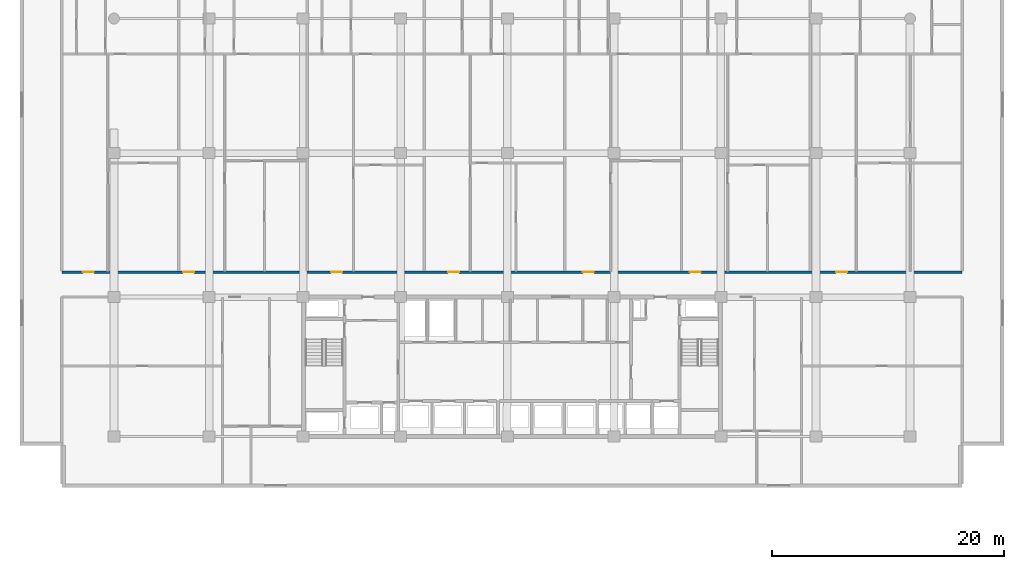
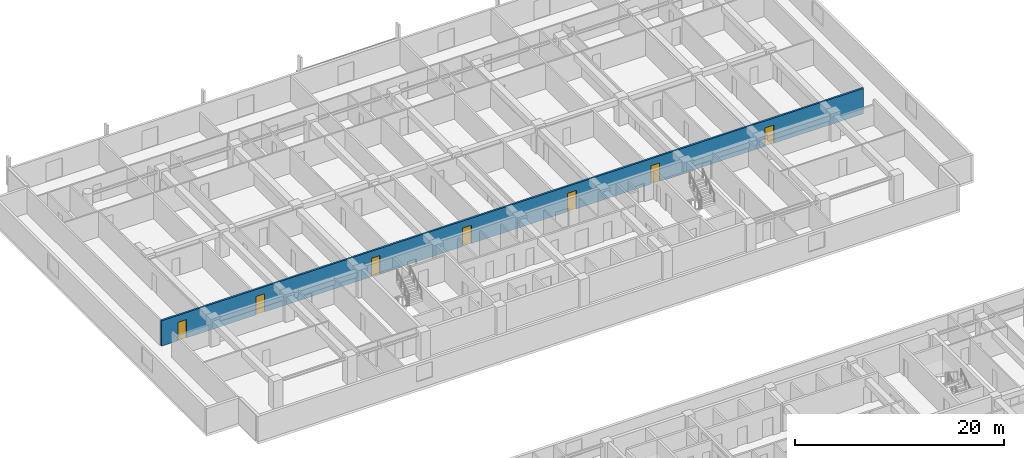
# One storey, part 13 of 23: 7 doors, 1 wall, 7 openings.
"""IFC4 building model written with IfcOpenShell, lengths in metres."""

from ifc_helpers import new_model, si_unit, direction, frame, frame_2d, origin, place, context, subcontext, project, spatial, rectangle, extrude, material, layer, layer_set, type_object, element, fill, save


model = new_model("IFC4")

# Units and contexts
model_context = context("Model", 3, precision=1e-05, world=origin(), true_north=direction((0.0, 1.0)))
body_context = subcontext(model_context, "Body", "Model", "MODEL_VIEW")
ifc_project = project(units=[si_unit("LENGTHUNIT", "METRE"), si_unit("AREAUNIT", "SQUARE_METRE"), si_unit("VOLUMEUNIT", "CUBIC_METRE"), si_unit("PLANEANGLEUNIT", "RADIAN"), si_unit("MASSUNIT", "GRAM", prefix="KILO")], contexts=[model_context])

# Site, building, storey
site_placement = place(None, origin())
site = spatial("IfcSite", under=ifc_project, at=site_placement, CompositionType="ELEMENT")
building_placement = place(site_placement, origin())
building = spatial("IfcBuilding", under=site, at=building_placement, Name="Korimba Cascade Residences", CompositionType="ELEMENT")
storey_placement = place(building_placement, frame((0.0, 0.0, 30.5)))
storey = spatial("IfcBuildingStorey", under=building, at=storey_placement, Name="L07", CompositionType="ELEMENT", Elevation=30.5)

# Wall, openings, doors
ifc_material_1 = material(Name="Precast concrete C40/50", Category="concrete")
ifc_layer = layer(ifc_material_1, 0.199951171875)
ifc_layer_set = layer_set([ifc_layer], Name="Precast concrete C40/50")
wall_type = type_object("IfcWallType", Name="WAL-IT-200", PredefinedType="PARTITIONING", material=ifc_layer_set)
wall_placement = place(storey_placement, frame((55.300048828125, 69.35009765625, 0.0), z_axis=(0.0, 0.0, 1.0), x_axis=(1.0, 0.0, 0.0)))
wall = element("IfcWall", 1, at=wall_placement, inside=storey, type_object=wall_type, Name="L07 Partition Wall WAL-L07-T1-CORN", PredefinedType="PARTITIONING", context=body_context, shape_type="SweptSolid", body=[
    extrude(rectangle(XDim=77.599853515625, YDim=0.199951171875, at=frame_2d((38.7998046875, 0.0))), origin(), (0.0, 0.0, 1.0), 2.969970703125),
])
opening_1_placement = place(wall_placement, frame((1.81005859375, 0.0, 0.0)))
opening_1 = element("IfcOpeningElement", 2, at=opening_1_placement, cuts=wall, Name="Opening D-UN1", PredefinedType="OPENING", context=body_context, shape_type="SweptSolid", body=[
    extrude(rectangle(XDim=0.949951171875, YDim=2.14990234375, at=frame_2d((0.47509765625, 1.074951171875))), frame((0.0, 0.10986328125, 0.0), z_axis=(0.0, -1.0, 0.0), x_axis=(1.0, 0.0, 0.0)), (0.0, 0.0, 1.0), 0.219970703125),
])
opening_2_placement = place(wall_placement, frame((10.447998046875, 0.0, 0.0)))
opening_2 = element("IfcOpeningElement", 3, at=opening_2_placement, cuts=wall, Name="Opening D-UN1", PredefinedType="OPENING", context=body_context, shape_type="SweptSolid", body=[
    extrude(rectangle(XDim=0.949951171875, YDim=2.14990234375, at=frame_2d((0.47509765625, 1.074951171875))), frame((0.0, 0.10986328125, 0.0), z_axis=(0.0, -1.0, 0.0), x_axis=(1.0, 0.0, 0.0)), (0.0, 0.0, 1.0), 0.219970703125),
])
opening_3_placement = place(wall_placement, frame((23.20849609375, 0.0, 0.0)))
opening_3 = element("IfcOpeningElement", 4, at=opening_3_placement, cuts=wall, Name="Opening D-UN1", PredefinedType="OPENING", context=body_context, shape_type="SweptSolid", body=[
    extrude(rectangle(XDim=0.949951171875, YDim=2.14990234375, at=frame_2d((0.47509765625, 1.074951171875))), frame((0.0, 0.10986328125, 0.0), z_axis=(0.0, -1.0, 0.0), x_axis=(1.0, 0.0, 0.0)), (0.0, 0.0, 1.0), 0.219970703125),
])
opening_4_placement = place(wall_placement, frame((33.28662109375, 0.0, 0.0)))
opening_4 = element("IfcOpeningElement", 5, at=opening_4_placement, cuts=wall, Name="Opening D-UN1", PredefinedType="OPENING", context=body_context, shape_type="SweptSolid", body=[
    extrude(rectangle(XDim=0.949951171875, YDim=2.14990234375, at=frame_2d((0.47509765625, 1.074951171875))), frame((0.0, 0.10986328125, 0.0), z_axis=(0.0, -1.0, 0.0), x_axis=(1.0, 0.0, 0.0)), (0.0, 0.0, 1.0), 0.219970703125),
])
opening_5_placement = place(wall_placement, frame((44.905029296875, 0.0, 0.0)))
opening_5 = element("IfcOpeningElement", 6, at=opening_5_placement, cuts=wall, Name="Opening D-UN1", PredefinedType="OPENING", context=body_context, shape_type="SweptSolid", body=[
    extrude(rectangle(XDim=0.949951171875, YDim=2.14990234375, at=frame_2d((0.47509765625, 1.074951171875))), frame((0.0, 0.10986328125, 0.0), z_axis=(0.0, -1.0, 0.0), x_axis=(1.0, 0.0, 0.0)), (0.0, 0.0, 1.0), 0.219970703125),
])
opening_6_placement = place(wall_placement, frame((54.118896484375, 0.0, 0.0)))
opening_6 = element("IfcOpeningElement", 7, at=opening_6_placement, cuts=wall, Name="Opening D-UN1", PredefinedType="OPENING", context=body_context, shape_type="SweptSolid", body=[
    extrude(rectangle(XDim=0.949951171875, YDim=2.14990234375, at=frame_2d((0.47509765625, 1.074951171875))), frame((0.0, 0.10986328125, 0.0), z_axis=(0.0, -1.0, 0.0), x_axis=(1.0, 0.0, 0.0)), (0.0, 0.0, 1.0), 0.219970703125),
])
opening_7_placement = place(wall_placement, frame((66.740478515625, 0.0, 0.0)))
opening_7 = element("IfcOpeningElement", 8, at=opening_7_placement, cuts=wall, Name="Opening D-UN1", PredefinedType="OPENING", context=body_context, shape_type="SweptSolid", body=[
    extrude(rectangle(XDim=0.949951171875, YDim=2.14990234375, at=frame_2d((0.47509765625, 1.074951171875))), frame((0.0, 0.10986328125, 0.0), z_axis=(0.0, -1.0, 0.0), x_axis=(1.0, 0.0, 0.0)), (0.0, 0.0, 1.0), 0.219970703125),
])
ifc_material_2 = material(Name="Fire-Rated Hardwood Apartment Entrance Door", Category="wood")
door_type = type_object("IfcDoorType", Name="DR-FD60-950", OperationType="NOTDEFINED", PredefinedType="DOOR", material=ifc_material_2)
door_1_placement = place(opening_1_placement, origin())
door_1 = element("IfcDoor", 9, at=door_1_placement, inside=storey, type_object=door_type, Name="Unit L07-T1-U01 Entrance Door", OperationType="SINGLE_SWING_LEFT", OverallHeight=2.14990234375, OverallWidth=0.949951171875, PredefinedType="DOOR", context=body_context, shape_type="SweptSolid", body=[
    extrude(rectangle(XDim=0.949951171875, YDim=2.14990234375, at=frame_2d((0.47509765625, 1.074951171875))), frame((0.0, 0.02490234375, 0.0), z_axis=(0.0, -1.0, 0.0), x_axis=(1.0, 0.0, 0.0)), (0.0, 0.0, 1.0), 0.050048828125),
])
fill(opening_1, door_1)
door_2_placement = place(opening_2_placement, origin())
door_2 = element("IfcDoor", 10, at=door_2_placement, inside=storey, type_object=door_type, Name="Unit L07-T1-U02 Entrance Door", OperationType="SINGLE_SWING_RIGHT", OverallHeight=2.14990234375, OverallWidth=0.949951171875, PredefinedType="DOOR", context=body_context, shape_type="SweptSolid", body=[
    extrude(rectangle(XDim=0.949951171875, YDim=2.14990234375, at=frame_2d((0.47509765625, 1.074951171875))), frame((0.0, 0.02490234375, 0.0), z_axis=(0.0, -1.0, 0.0), x_axis=(1.0, 0.0, 0.0)), (0.0, 0.0, 1.0), 0.050048828125),
])
fill(opening_2, door_2)
door_3_placement = place(opening_3_placement, origin())
door_3 = element("IfcDoor", 11, at=door_3_placement, inside=storey, type_object=door_type, Name="Unit L07-T1-U03 Entrance Door", OperationType="SINGLE_SWING_LEFT", OverallHeight=2.14990234375, OverallWidth=0.949951171875, PredefinedType="DOOR", context=body_context, shape_type="SweptSolid", body=[
    extrude(rectangle(XDim=0.949951171875, YDim=2.14990234375, at=frame_2d((0.47509765625, 1.074951171875))), frame((0.0, 0.02490234375, 0.0), z_axis=(0.0, -1.0, 0.0), x_axis=(1.0, 0.0, 0.0)), (0.0, 0.0, 1.0), 0.050048828125),
])
fill(opening_3, door_3)
door_4_placement = place(opening_4_placement, origin())
door_4 = element("IfcDoor", 12, at=door_4_placement, inside=storey, type_object=door_type, Name="Unit L07-T1-U04 Entrance Door", OperationType="SINGLE_SWING_RIGHT", OverallHeight=2.14990234375, OverallWidth=0.949951171875, PredefinedType="DOOR", context=body_context, shape_type="SweptSolid", body=[
    extrude(rectangle(XDim=0.949951171875, YDim=2.14990234375, at=frame_2d((0.47509765625, 1.074951171875))), frame((0.0, 0.02490234375, 0.0), z_axis=(0.0, -1.0, 0.0), x_axis=(1.0, 0.0, 0.0)), (0.0, 0.0, 1.0), 0.050048828125),
])
fill(opening_4, door_4)
door_5_placement = place(opening_5_placement, origin())
door_5 = element("IfcDoor", 13, at=door_5_placement, inside=storey, type_object=door_type, Name="Unit L07-T1-U05 Entrance Door", OperationType="SINGLE_SWING_LEFT", OverallHeight=2.14990234375, OverallWidth=0.949951171875, PredefinedType="DOOR", context=body_context, shape_type="SweptSolid", body=[
    extrude(rectangle(XDim=0.949951171875, YDim=2.14990234375, at=frame_2d((0.47509765625, 1.074951171875))), frame((0.0, 0.02490234375, 0.0), z_axis=(0.0, -1.0, 0.0), x_axis=(1.0, 0.0, 0.0)), (0.0, 0.0, 1.0), 0.050048828125),
])
fill(opening_5, door_5)
door_6_placement = place(opening_6_placement, origin())
door_6 = element("IfcDoor", 14, at=door_6_placement, inside=storey, type_object=door_type, Name="Unit L07-T1-U06 Entrance Door", OperationType="SINGLE_SWING_RIGHT", OverallHeight=2.14990234375, OverallWidth=0.949951171875, PredefinedType="DOOR", context=body_context, shape_type="SweptSolid", body=[
    extrude(rectangle(XDim=0.949951171875, YDim=2.14990234375, at=frame_2d((0.47509765625, 1.074951171875))), frame((0.0, 0.02490234375, 0.0), z_axis=(0.0, -1.0, 0.0), x_axis=(1.0, 0.0, 0.0)), (0.0, 0.0, 1.0), 0.050048828125),
])
fill(opening_6, door_6)
door_7_placement = place(opening_7_placement, origin())
door_7 = element("IfcDoor", 15, at=door_7_placement, inside=storey, type_object=door_type, Name="Unit L07-T1-U07 Entrance Door", OperationType="SINGLE_SWING_LEFT", OverallHeight=2.14990234375, OverallWidth=0.949951171875, PredefinedType="DOOR", context=body_context, shape_type="SweptSolid", body=[
    extrude(rectangle(XDim=0.949951171875, YDim=2.14990234375, at=frame_2d((0.47509765625, 1.074951171875))), frame((0.0, 0.02490234375, 0.0), z_axis=(0.0, -1.0, 0.0), x_axis=(1.0, 0.0, 0.0)), (0.0, 0.0, 1.0), 0.050048828125),
])
fill(opening_7, door_7)

save(model, "model.ifc")
